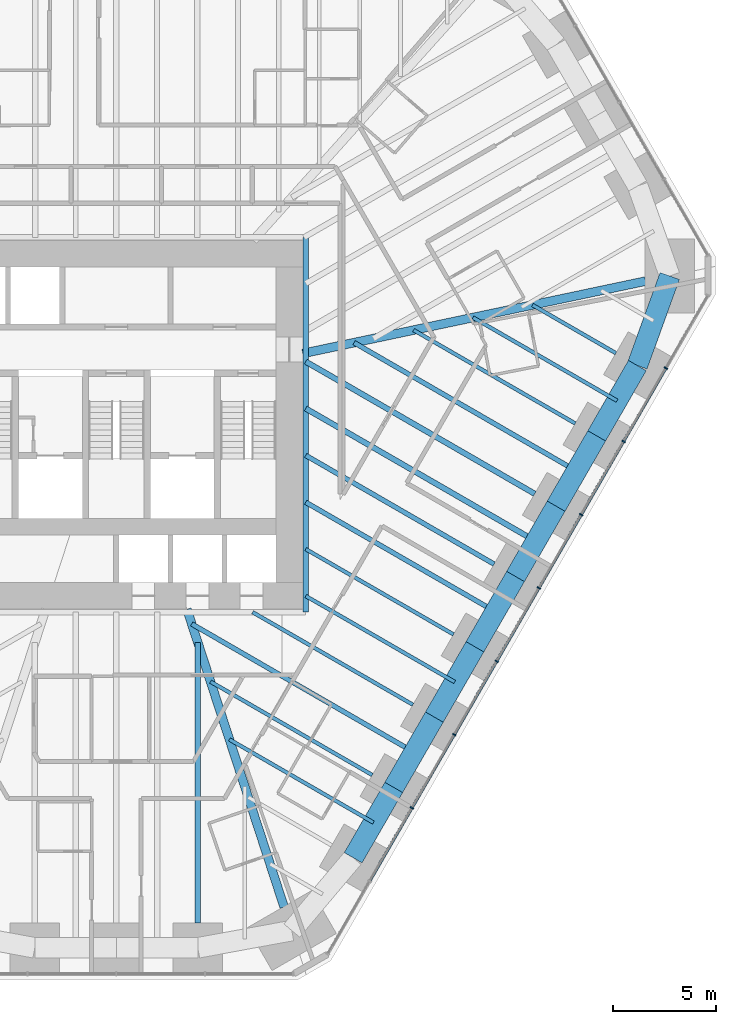
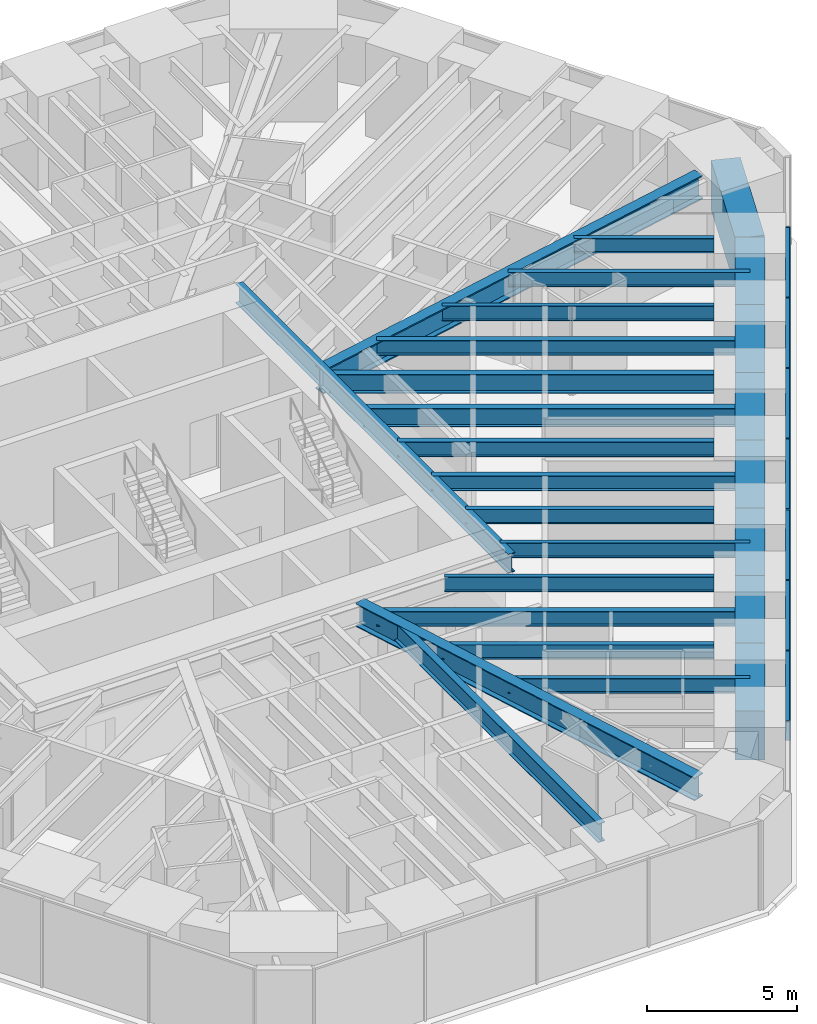
# One storey, part 5 of 17: 26 beams, 14 members, 1 element without a shape of its own.
"""IFC4 building model written with IfcOpenShell, lengths in metres."""

from ifc_helpers import new_model, si_unit, direction, frame, origin, origin_2d, place, context, subcontext, project, spatial, rectangle, i_section, extrude, material, material_profile, profile_set, type_object, element, aggregate, save


model = new_model("IFC4")

# Units and contexts
model_context = context("Model", 3, precision=1e-05, world=origin(), true_north=direction((0.0, 1.0)))
body_context = subcontext(model_context, "Body", "Model", "MODEL_VIEW")
ifc_project = project(units=[si_unit("LENGTHUNIT", "METRE"), si_unit("AREAUNIT", "SQUARE_METRE"), si_unit("VOLUMEUNIT", "CUBIC_METRE"), si_unit("PLANEANGLEUNIT", "RADIAN"), si_unit("MASSUNIT", "GRAM", prefix="KILO")], contexts=[model_context])

# Site, building, storey
site_placement = place(None, origin())
site = spatial("IfcSite", under=ifc_project, at=site_placement, CompositionType="ELEMENT")
building_placement = place(site_placement, origin())
building = spatial("IfcBuilding", under=site, at=building_placement, Name="Sandreach Pilgrim Tower", CompositionType="ELEMENT")
storey_placement = place(building_placement, frame((0.0, 0.0, 100.60009765625)))
storey = spatial("IfcBuildingStorey", under=building, at=storey_placement, Name="L24", CompositionType="ELEMENT", Elevation=100.60009765625)

# Curtain wall, members
ifc_material_1 = material(Name="Aluminium framed curtain wall", Category="aluminium")
curtain_wall_type = type_object("IfcCurtainWallType", Name="Hotel tower curtain wall", PredefinedType="NOTDEFINED", material=ifc_material_1)
curtain_wall_placement = place(storey_placement, origin())
curtain_wall = element("IfcCurtainWall", 1, at=curtain_wall_placement, inside=storey, type_object=curtain_wall_type, Name="CW-2 L24 SE", PredefinedType="NOTDEFINED")
ifc_material_2 = material(Name="Aluminium extrusion", Category="aluminium")
ifc_material_profile_1 = material_profile(ifc_material_2, rectangle(XDim=0.06494140625, YDim=0.179931640625, at=origin_2d()), Name="CW-2M 65X180")
ifc_profile_set_1 = profile_set([ifc_material_profile_1], Name="Aluminium extrusion")
member_type_1 = type_object("IfcMemberType", Name="CW-2 mullion", PredefinedType="MULLION", material=ifc_profile_set_1)
member_1_placement = place(storey_placement, frame((26.66748046875, 1.20166015625, 0.0), z_axis=(0.0, 0.0, 1.0), x_axis=(-0.5, -0.866025403784, 0.0)))
member_1 = element("IfcMember", 2, at=member_1_placement, type_object=member_type_1, Name="CW-2 mullion 2", PredefinedType="MULLION", context=body_context, shape_type="SweptSolid", body=[
    extrude(rectangle(XDim=0.06494140625, YDim=0.179931640625, at=origin_2d()), origin(), (0.0, 0.0, 1.0), 3.639892578125),
])
member_2_placement = place(storey_placement, frame((24.614013671875, -2.35498046875, 0.0), z_axis=(0.0, 0.0, 1.0), x_axis=(-0.5, -0.866025403784, 0.0)))
member_2 = element("IfcMember", 3, at=member_2_placement, type_object=member_type_1, Name="CW-2 mullion 3", PredefinedType="MULLION", context=body_context, shape_type="SweptSolid", body=[
    extrude(rectangle(XDim=0.06494140625, YDim=0.179931640625, at=origin_2d()), origin(), (0.0, 0.0, 1.0), 3.639892578125),
])
member_3_placement = place(storey_placement, frame((22.560302734375, -5.911865234375, 0.0), z_axis=(0.0, 0.0, 1.0), x_axis=(-0.5, -0.866025403784, 0.0)))
member_3 = element("IfcMember", 4, at=member_3_placement, type_object=member_type_1, Name="CW-2 mullion 4", PredefinedType="MULLION", context=body_context, shape_type="SweptSolid", body=[
    extrude(rectangle(XDim=0.06494140625, YDim=0.179931640625, at=origin_2d()), origin(), (0.0, 0.0, 1.0), 3.639892578125),
])
member_4_placement = place(storey_placement, frame((20.5068359375, -9.468505859375, 0.0), z_axis=(0.0, 0.0, 1.0), x_axis=(-0.5, -0.866025403784, 0.0)))
member_4 = element("IfcMember", 5, at=member_4_placement, type_object=member_type_1, Name="CW-2 mullion 5", PredefinedType="MULLION", context=body_context, shape_type="SweptSolid", body=[
    extrude(rectangle(XDim=0.06494140625, YDim=0.179931640625, at=origin_2d()), origin(), (0.0, 0.0, 1.0), 3.639892578125),
])
member_5_placement = place(storey_placement, frame((18.453369140625, -13.025146484375, 0.0), z_axis=(0.0, 0.0, 1.0), x_axis=(-0.5, -0.866025403784, 0.0)))
member_5 = element("IfcMember", 6, at=member_5_placement, type_object=member_type_1, Name="CW-2 mullion 6", PredefinedType="MULLION", context=body_context, shape_type="SweptSolid", body=[
    extrude(rectangle(XDim=0.06494140625, YDim=0.179931640625, at=origin_2d()), origin(), (0.0, 0.0, 1.0), 3.639892578125),
])
member_6_placement = place(storey_placement, frame((16.39990234375, -16.58203125, 0.0), z_axis=(0.0, 0.0, 1.0), x_axis=(-0.5, -0.866025403784, 0.0)))
member_6 = element("IfcMember", 7, at=member_6_placement, type_object=member_type_1, Name="CW-2 mullion 7", PredefinedType="MULLION", context=body_context, shape_type="SweptSolid", body=[
    extrude(rectangle(XDim=0.06494140625, YDim=0.179931640625, at=origin_2d()), origin(), (0.0, 0.0, 1.0), 3.639892578125),
])
member_7_placement = place(storey_placement, frame((14.346435546875, -20.138671875, 0.0), z_axis=(0.0, 0.0, 1.0), x_axis=(-0.5, -0.866025403784, 0.0)))
member_7 = element("IfcMember", 8, at=member_7_placement, type_object=member_type_1, Name="CW-2 mullion 8", PredefinedType="MULLION", context=body_context, shape_type="SweptSolid", body=[
    extrude(rectangle(XDim=0.06494140625, YDim=0.179931640625, at=origin_2d()), origin(), (0.0, 0.0, 1.0), 3.639892578125),
])
ifc_material_3 = material(Name="Aluminium extrusion", Category="aluminium")
ifc_material_profile_2 = material_profile(ifc_material_3, rectangle(XDim=0.139892578125, YDim=0.070068359375, at=origin_2d()), Name="CW-2T 140X70")
ifc_profile_set_2 = profile_set([ifc_material_profile_2], Name="Aluminium extrusion")
member_type_2 = type_object("IfcMemberType", Name="CW-2 transom", PredefinedType="USERDEFINED", material=ifc_profile_set_2)
member_8_placement = place(storey_placement, frame((26.651123046875, 1.173583984375, 3.60498046875), z_axis=(-0.499997818338, -0.866026663364, 0.0), x_axis=(0.866026663364, -0.499997818338, 0.0)))
member_8 = element("IfcMember", 9, at=member_8_placement, type_object=member_type_2, Name="CW-2 head transom 2", ObjectType="TRANSOM", PredefinedType="USERDEFINED", context=body_context, shape_type="SweptSolid", body=[
    extrude(rectangle(XDim=0.139892578125, YDim=0.070068359375, at=origin_2d()), origin(), (0.0, 0.0, 1.0), 4.0419921875),
])
member_9_placement = place(storey_placement, frame((24.59765625, -2.38330078125, 3.60498046875), z_axis=(-0.500023973715, -0.866011562111, 0.0), x_axis=(0.866011562111, -0.500023973715, 0.0)))
member_9 = element("IfcMember", 10, at=member_9_placement, type_object=member_type_2, Name="CW-2 head transom 3", ObjectType="TRANSOM", PredefinedType="USERDEFINED", context=body_context, shape_type="SweptSolid", body=[
    extrude(rectangle(XDim=0.139892578125, YDim=0.070068359375, at=origin_2d()), origin(), (0.0, 0.0, 1.0), 4.041748046875),
])
member_10_placement = place(storey_placement, frame((22.544189453125, -5.93994140625, 3.60498046875), z_axis=(-0.499997818338, -0.866026663364, 0.0), x_axis=(0.866026663364, -0.499997818338, 0.0)))
member_10 = element("IfcMember", 11, at=member_10_placement, type_object=member_type_2, Name="CW-2 head transom 4", ObjectType="TRANSOM", PredefinedType="USERDEFINED", context=body_context, shape_type="SweptSolid", body=[
    extrude(rectangle(XDim=0.139892578125, YDim=0.070068359375, at=origin_2d()), origin(), (0.0, 0.0, 1.0), 4.0419921875),
])
member_11_placement = place(storey_placement, frame((20.49072265625, -9.49658203125, 3.60498046875), z_axis=(-0.499997818338, -0.866026663364, 0.0), x_axis=(0.866026663364, -0.499997818338, 0.0)))
member_11 = element("IfcMember", 12, at=member_11_placement, type_object=member_type_2, Name="CW-2 head transom 5", ObjectType="TRANSOM", PredefinedType="USERDEFINED", context=body_context, shape_type="SweptSolid", body=[
    extrude(rectangle(XDim=0.139892578125, YDim=0.070068359375, at=origin_2d()), origin(), (0.0, 0.0, 1.0), 4.0419921875),
])
member_12_placement = place(storey_placement, frame((18.437255859375, -13.053466796875, 3.60498046875), z_axis=(-0.499997818338, -0.866026663364, 0.0), x_axis=(0.866026663364, -0.499997818338, 0.0)))
member_12 = element("IfcMember", 13, at=member_12_placement, type_object=member_type_2, Name="CW-2 head transom 6", ObjectType="TRANSOM", PredefinedType="USERDEFINED", context=body_context, shape_type="SweptSolid", body=[
    extrude(rectangle(XDim=0.139892578125, YDim=0.070068359375, at=origin_2d()), origin(), (0.0, 0.0, 1.0), 4.0419921875),
])
member_13_placement = place(storey_placement, frame((16.3837890625, -16.610107421875, 3.60498046875), z_axis=(-0.499997818338, -0.866026663364, 0.0), x_axis=(0.866026663364, -0.499997818338, 0.0)))
member_13 = element("IfcMember", 14, at=member_13_placement, type_object=member_type_2, Name="CW-2 head transom 7", ObjectType="TRANSOM", PredefinedType="USERDEFINED", context=body_context, shape_type="SweptSolid", body=[
    extrude(rectangle(XDim=0.139892578125, YDim=0.070068359375, at=origin_2d()), origin(), (0.0, 0.0, 1.0), 4.0419921875),
])
member_14_placement = place(storey_placement, frame((14.330322265625, -20.1669921875, 3.60498046875), z_axis=(-0.500023973715, -0.866011562111, 0.0), x_axis=(0.866011562111, -0.500023973715, 0.0)))
member_14 = element("IfcMember", 15, at=member_14_placement, type_object=member_type_2, Name="CW-2 head transom 8", ObjectType="TRANSOM", PredefinedType="USERDEFINED", context=body_context, shape_type="SweptSolid", body=[
    extrude(rectangle(XDim=0.139892578125, YDim=0.070068359375, at=origin_2d()), origin(), (0.0, 0.0, 1.0), 4.041748046875),
])
aggregate(curtain_wall, [member_1, member_2, member_3, member_4, member_5, member_6, member_7, member_8, member_9, member_10, member_11, member_12, member_13, member_14])

# Beams
ifc_material_4 = material(Name="Steel ASTM A992 Grade 50", Category="steel")
ifc_material_profile_3 = material_profile(ifc_material_4, i_section(OverallWidth=0.2666015625, OverallDepth=0.77978515625, WebThickness=0.0166015625, FlangeThickness=0.030029296875, at=origin_2d()), Name="W30X148")
ifc_profile_set_3 = profile_set([ifc_material_profile_3], Name="Steel ASTM A992 Grade 50")
beam_type_1 = type_object("IfcBeamType", Name="Core edge beam W30X148", PredefinedType="BEAM", material=ifc_profile_set_3)
beam_1_placement = place(storey_placement, frame((9.193359375, 7.54345703125, 3.25), z_axis=(0.0, -1.0, 0.0), x_axis=(1.0, 0.0, 0.0)))
element("IfcBeam", 16, at=beam_1_placement, inside=storey, type_object=beam_type_1, Name="BM L24 CEE", PredefinedType="BEAM", context=body_context, shape_type="SweptSolid", body=[
    extrude(i_section(OverallWidth=0.2666015625, OverallDepth=0.77978515625, WebThickness=0.0166015625, FlangeThickness=0.030029296875, at=origin_2d()), origin(), (0.0, 0.0, 1.0), 18.186767578125),
])
ifc_material_5 = material(Name="Steel ASTM A992 Grade 50", Category="steel")
ifc_material_profile_4 = material_profile(ifc_material_5, i_section(OverallWidth=0.421630859375, OverallDepth=0.937255859375, WebThickness=0.0224609375, FlangeThickness=0.039794921875, at=origin_2d()), Name="W36X282")
ifc_profile_set_4 = profile_set([ifc_material_profile_4], Name="Steel ASTM A992 Grade 50")
beam_type_2 = type_object("IfcBeamType", Name="Corner girder W36X282", PredefinedType="BEAM", material=ifc_profile_set_4)
beam_2_placement = place(storey_placement, frame((8.1455078125, -24.95361328125, 3.17138671875), z_axis=(-0.310310868465, 0.950635137638, 0.0), x_axis=(-0.950635137638, -0.310310868465, 0.0)))
element("IfcBeam", 17, at=beam_2_placement, inside=storey, type_object=beam_type_2, Name="BM L24 CG22", PredefinedType="BEAM", context=body_context, shape_type="SweptSolid", body=[
    extrude(i_section(OverallWidth=0.421630859375, OverallDepth=0.937255859375, WebThickness=0.0224609375, FlangeThickness=0.039794921875, at=origin_2d()), origin(), (0.0, 0.0, 1.0), 15.2041015625),
])
ifc_material_6 = material(Name="Steel ASTM A992 Grade 50", Category="steel")
ifc_material_profile_5 = material_profile(ifc_material_6, i_section(OverallWidth=0.424072265625, OverallDepth=0.965087890625, WebThickness=0.028564453125, FlangeThickness=0.051025390625, at=origin_2d()), Name="W36X361")
ifc_profile_set_5 = profile_set([ifc_material_profile_5], Name="Steel ASTM A992 Grade 50")
beam_type_3 = type_object("IfcBeamType", Name="Corner girder W36X361", PredefinedType="BEAM", material=ifc_profile_set_5)
beam_3_placement = place(storey_placement, frame((25.68310546875, 5.422607421875, 3.1572265625), z_axis=(-0.978427865996, -0.206588748585, 0.0), x_axis=(0.206588748585, -0.978427865996, 0.0)))
element("IfcBeam", 18, at=beam_3_placement, inside=storey, type_object=beam_type_3, Name="BM L24 CG13", PredefinedType="BEAM", context=body_context, shape_type="SweptSolid", body=[
    extrude(i_section(OverallWidth=0.424072265625, OverallDepth=0.965087890625, WebThickness=0.028564453125, FlangeThickness=0.051025390625, at=origin_2d()), origin(), (0.0, 0.0, 1.0), 16.999755859375),
])
ifc_material_7 = material(Name="Steel ASTM A992 Grade 50", Category="steel")
ifc_material_profile_6 = material_profile(ifc_material_7, i_section(OverallWidth=0.1787109375, OverallDepth=0.60205078125, WebThickness=0.010986328125, FlangeThickness=0.014892578125, at=origin_2d()), Name="W24X62")
ifc_profile_set_6 = profile_set([ifc_material_profile_6], Name="Steel ASTM A992 Grade 50")
beam_type_4 = type_object("IfcBeamType", Name="Floor beam W24X62", PredefinedType="BEAM", material=ifc_profile_set_6)
beam_4_placement = place(storey_placement, frame((24.24462890625, 1.925537109375, 3.3388671875), z_axis=(-0.866040404911, 0.499974016386, 0.0), x_axis=(-0.499974016386, -0.866040404911, 0.0)))
element("IfcBeam", 19, at=beam_4_placement, inside=storey, type_object=beam_type_4, Name="BM L24 F14", PredefinedType="BEAM", context=body_context, shape_type="SweptSolid", body=[
    extrude(i_section(OverallWidth=0.1787109375, OverallDepth=0.60205078125, WebThickness=0.010986328125, FlangeThickness=0.014892578125, at=origin_2d()), origin(), (0.0, 0.0, 1.0), 4.676513671875),
])
beam_5_placement = place(storey_placement, frame((22.274658203125, -1.486572265625, 3.3388671875), z_axis=(-0.866020076177, 0.500009227573, 0.0), x_axis=(-0.500009227573, -0.866020076177, 0.0)))
element("IfcBeam", 20, at=beam_5_placement, inside=storey, type_object=beam_type_4, Name="BM L24 F15", PredefinedType="BEAM", context=body_context, shape_type="SweptSolid", body=[
    extrude(i_section(OverallWidth=0.1787109375, OverallDepth=0.60205078125, WebThickness=0.010986328125, FlangeThickness=0.014892578125, at=origin_2d()), origin(), (0.0, 0.0, 1.0), 9.064208984375),
])
beam_6_placement = place(storey_placement, frame((16.36474609375, -11.722900390625, 3.3388671875), z_axis=(-0.866026511998, 0.499998080513, 0.0), x_axis=(-0.499998080513, -0.866026511998, 0.0)))
element("IfcBeam", 21, at=beam_6_placement, inside=storey, type_object=beam_type_4, Name="BM L24 F18", PredefinedType="BEAM", context=body_context, shape_type="SweptSolid", body=[
    extrude(i_section(OverallWidth=0.1787109375, OverallDepth=0.60205078125, WebThickness=0.010986328125, FlangeThickness=0.014892578125, at=origin_2d()), origin(), (0.0, 0.0, 1.0), 8.28076171875),
])
beam_7_placement = place(storey_placement, frame((14.394775390625, -15.135009765625, 3.3388671875), z_axis=(-0.866023564181, 0.500003186274, 0.0), x_axis=(-0.500003186274, -0.866023564181, 0.0)))
element("IfcBeam", 22, at=beam_7_placement, inside=storey, type_object=beam_type_4, Name="BM L24 F19", PredefinedType="BEAM", context=body_context, shape_type="SweptSolid", body=[
    extrude(i_section(OverallWidth=0.1787109375, OverallDepth=0.60205078125, WebThickness=0.010986328125, FlangeThickness=0.014892578125, at=origin_2d()), origin(), (0.0, 0.0, 1.0), 8.9833984375),
])
beam_8_placement = place(storey_placement, frame((12.4248046875, -18.547119140625, 3.3388671875), z_axis=(-0.866020076177, 0.500009227573, 0.0), x_axis=(-0.500009227573, -0.866020076177, 0.0)))
element("IfcBeam", 23, at=beam_8_placement, inside=storey, type_object=beam_type_4, Name="BM L24 F20", PredefinedType="BEAM", context=body_context, shape_type="SweptSolid", body=[
    extrude(i_section(OverallWidth=0.1787109375, OverallDepth=0.60205078125, WebThickness=0.010986328125, FlangeThickness=0.014892578125, at=origin_2d()), origin(), (0.0, 0.0, 1.0), 9.064208984375),
])
beam_9_placement = place(storey_placement, frame((24.298828125, -0.380615234375, 3.3388671875), z_axis=(-0.866022864518, 0.500004398112, 0.0), x_axis=(-0.500004398112, -0.866022864518, 0.0)))
element("IfcBeam", 24, at=beam_9_placement, inside=storey, type_object=beam_type_4, Name="BM L24 FM14", PredefinedType="BEAM", context=body_context, shape_type="SweptSolid", body=[
    extrude(i_section(OverallWidth=0.1787109375, OverallDepth=0.60205078125, WebThickness=0.010986328125, FlangeThickness=0.014892578125, at=origin_2d()), origin(), (0.0, 0.0, 1.0), 8.0703125),
])
beam_10_placement = place(storey_placement, frame((16.4189453125, -14.029052734375, 3.3388671875), z_axis=(-0.866016009309, 0.500016271356, 0.0), x_axis=(-0.500016271356, -0.866016009309, 0.0)))
element("IfcBeam", 25, at=beam_10_placement, inside=storey, type_object=beam_type_4, Name="BM L24 FM18", PredefinedType="BEAM", context=body_context, shape_type="SweptSolid", body=[
    extrude(i_section(OverallWidth=0.1787109375, OverallDepth=0.60205078125, WebThickness=0.010986328125, FlangeThickness=0.014892578125, at=origin_2d()), origin(), (0.0, 0.0, 1.0), 8.343505859375),
])
beam_11_placement = place(storey_placement, frame((12.47900390625, -20.853271484375, 3.3388671875), z_axis=(-0.866017328257, 0.500013986963, 0.0), x_axis=(-0.500013986963, -0.866017328257, 0.0)))
element("IfcBeam", 26, at=beam_11_placement, inside=storey, type_object=beam_type_4, Name="BM L24 FM20", PredefinedType="BEAM", context=body_context, shape_type="SweptSolid", body=[
    extrude(i_section(OverallWidth=0.1787109375, OverallDepth=0.60205078125, WebThickness=0.010986328125, FlangeThickness=0.014892578125, at=origin_2d()), origin(), (0.0, 0.0, 1.0), 8.070556640625),
])
ifc_material_8 = material(Name="Steel ASTM A992 Grade 50", Category="steel")
ifc_material_profile_7 = material_profile(ifc_material_8, i_section(OverallWidth=0.23046875, OverallDepth=0.6171875, WebThickness=0.01318359375, FlangeThickness=0.022216796875, at=origin_2d()), Name="W24X94")
ifc_profile_set_7 = profile_set([ifc_material_profile_7], Name="Steel ASTM A992 Grade 50")
beam_type_5 = type_object("IfcBeamType", Name="Floor beam W24X94", PredefinedType="BEAM", material=ifc_profile_set_7)
beam_12_placement = place(storey_placement, frame((18.334716796875, -8.310791015625, 3.331298828125), z_axis=(-0.866022660904, 0.500004750779, 0.0), x_axis=(-0.500004750779, -0.866022660904, 0.0)))
element("IfcBeam", 27, at=beam_12_placement, inside=storey, type_object=beam_type_5, Name="BM L24 F17", PredefinedType="BEAM", context=body_context, shape_type="SweptSolid", body=[
    extrude(i_section(OverallWidth=0.23046875, OverallDepth=0.6171875, WebThickness=0.01318359375, FlangeThickness=0.022216796875, at=origin_2d()), origin(), (0.0, 0.0, 1.0), 10.5556640625),
])
beam_13_placement = place(storey_placement, frame((22.328857421875, -3.792724609375, 3.331298828125), z_axis=(-0.866019150617, 0.500010830648, 0.0), x_axis=(-0.500010830648, -0.866019150617, 0.0)))
element("IfcBeam", 28, at=beam_13_placement, inside=storey, type_object=beam_type_5, Name="BM L24 FM15", PredefinedType="BEAM", context=body_context, shape_type="SweptSolid", body=[
    extrude(i_section(OverallWidth=0.23046875, OverallDepth=0.6171875, WebThickness=0.01318359375, FlangeThickness=0.022216796875, at=origin_2d()), origin(), (0.0, 0.0, 1.0), 12.458251953125),
])
beam_14_placement = place(storey_placement, frame((18.388916015625, -10.616943359375, 3.331298828125), z_axis=(-0.866024387147, 0.500001760863, 0.0), x_axis=(-0.500001760863, -0.866024387147, 0.0)))
element("IfcBeam", 29, at=beam_14_placement, inside=storey, type_object=beam_type_5, Name="BM L24 FM17", PredefinedType="BEAM", context=body_context, shape_type="SweptSolid", body=[
    extrude(i_section(OverallWidth=0.23046875, OverallDepth=0.6171875, WebThickness=0.01318359375, FlangeThickness=0.022216796875, at=origin_2d()), origin(), (0.0, 0.0, 1.0), 10.6181640625),
])
beam_15_placement = place(storey_placement, frame((14.448974609375, -17.441162109375, 3.331298828125), z_axis=(-0.866019150617, 0.500010830648, 0.0), x_axis=(-0.500010830648, -0.866019150617, 0.0)))
element("IfcBeam", 30, at=beam_15_placement, inside=storey, type_object=beam_type_5, Name="BM L24 FM19", PredefinedType="BEAM", context=body_context, shape_type="SweptSolid", body=[
    extrude(i_section(OverallWidth=0.23046875, OverallDepth=0.6171875, WebThickness=0.01318359375, FlangeThickness=0.022216796875, at=origin_2d()), origin(), (0.0, 0.0, 1.0), 12.458251953125),
])
ifc_material_9 = material(Name="Steel ASTM A992 Grade 50", Category="steel")
ifc_material_profile_8 = material_profile(ifc_material_9, i_section(OverallWidth=0.2666015625, OverallDepth=0.761962890625, WebThickness=0.014404296875, FlangeThickness=0.021484375, at=origin_2d()), Name="W30X116")
ifc_profile_set_8 = profile_set([ifc_material_profile_8], Name="Steel ASTM A992 Grade 50")
beam_type_6 = type_object("IfcBeamType", Name="Floor beam W30X116", PredefinedType="BEAM", material=ifc_profile_set_8)
beam_16_placement = place(storey_placement, frame((20.3046875, -4.898681640625, 3.2587890625), z_axis=(-0.866028414947, 0.499994784478, 0.0), x_axis=(-0.499994784478, -0.866028414947, 0.0)))
element("IfcBeam", 31, at=beam_16_placement, inside=storey, type_object=beam_type_6, Name="BM L24 F16", PredefinedType="BEAM", context=body_context, shape_type="SweptSolid", body=[
    extrude(i_section(OverallWidth=0.2666015625, OverallDepth=0.761962890625, WebThickness=0.014404296875, FlangeThickness=0.021484375, at=origin_2d()), origin(), (0.0, 0.0, 1.0), 12.830322265625),
])
beam_17_placement = place(storey_placement, frame((3.955322265625, -25.732177734375, 3.2587890625), z_axis=(0.0, 1.0, 0.0), x_axis=(-1.0, 0.0, 0.0)))
element("IfcBeam", 32, at=beam_17_placement, inside=storey, type_object=beam_type_6, Name="BM L24 F23", PredefinedType="BEAM", context=body_context, shape_type="SweptSolid", body=[
    extrude(i_section(OverallWidth=0.2666015625, OverallDepth=0.761962890625, WebThickness=0.014404296875, FlangeThickness=0.021484375, at=origin_2d()), origin(), (0.0, 0.0, 1.0), 13.615478515625),
])
beam_18_placement = place(storey_placement, frame((20.35888671875, -7.204833984375, 3.2587890625), z_axis=(-0.866021609098, 0.500006572533, 0.0), x_axis=(-0.500006572533, -0.866021609098, 0.0)))
element("IfcBeam", 33, at=beam_18_placement, inside=storey, type_object=beam_type_6, Name="BM L24 FM16", PredefinedType="BEAM", context=body_context, shape_type="SweptSolid", body=[
    extrude(i_section(OverallWidth=0.2666015625, OverallDepth=0.761962890625, WebThickness=0.014404296875, FlangeThickness=0.021484375, at=origin_2d()), origin(), (0.0, 0.0, 1.0), 12.892822265625),
])
ifc_material_10 = material(Name="Concrete 10000 psi", Category="concrete")
ifc_material_profile_9 = material_profile(ifc_material_10, rectangle(XDim=1.0, YDim=2.0, at=origin_2d()), Name="RC1000X2000")
ifc_profile_set_9 = profile_set([ifc_material_profile_9], Name="Concrete 10000 psi")
beam_type_7 = type_object("IfcBeamType", Name="Spandrel beam RC1000X2000", PredefinedType="SPANDREL", material=ifc_profile_set_9)
beam_19_placement = place(storey_placement, frame((26.857177734375, 5.67041015625, 2.639892578125), z_axis=(-0.340453163563, -0.940261476091, 0.0), x_axis=(0.940261476091, -0.340453163563, 0.0)))
element("IfcBeam", 34, at=beam_19_placement, inside=storey, type_object=beam_type_7, Name="BM L24 SP13", PredefinedType="SPANDREL", context=body_context, shape_type="SweptSolid", body=[
    extrude(rectangle(XDim=1.0, YDim=2.0, at=origin_2d()), origin(), (0.0, 0.0, 1.0), 4.62109375),
])
for number, where, z_axis, x_axis, name in (
    (35, (25.283935546875, 1.325439453125, 2.639892578125), (-0.49999779889, -0.866026674592, 0.0), (0.866026674592, -0.49999779889, 0.0), "BM L24 SP14"),
    (36, (23.31396484375, -2.086669921875, 2.639892578125), (-0.49999779889, -0.866026674592, 0.0), (0.866026674592, -0.49999779889, 0.0), "BM L24 SP15"),
    (37, (21.343994140625, -5.498779296875, 2.639892578125), (-0.49999779889, -0.866026674592, 0.0), (0.866026674592, -0.49999779889, 0.0), "BM L24 SP16"),
    (38, (19.3740234375, -8.910888671875, 2.639892578125), (-0.49999779889, -0.866026674592, 0.0), (0.866026674592, -0.49999779889, 0.0), "BM L24 SP17"),
    (39, (17.404052734375, -12.322998046875, 2.639892578125), (-0.49999779889, -0.866026674592, 0.0), (0.866026674592, -0.49999779889, 0.0), "BM L24 SP18"),
    (40, (15.43408203125, -15.735107421875, 2.639892578125), (-0.49999779889, -0.866026674592, 0.0), (0.866026674592, -0.49999779889, 0.0), "BM L24 SP19"),
    (41, (13.464111328125, -19.147216796875, 2.639892578125), (-0.49999779889, -0.866026674592, 0.0), (0.866026674592, -0.49999779889, 0.0), "BM L24 SP20"),
):
    element("IfcBeam", number, at=place(storey_placement, frame(where, z_axis=z_axis, x_axis=x_axis)), inside=storey, type_object=beam_type_7, Name=name, PredefinedType="SPANDREL", context=body_context, shape_type="SweptSolid", body=[
        extrude(rectangle(XDim=1.0, YDim=2.0, at=origin_2d()), origin(), (0.0, 0.0, 1.0), 3.93994140625),
    ])

save(model, "model.ifc")
